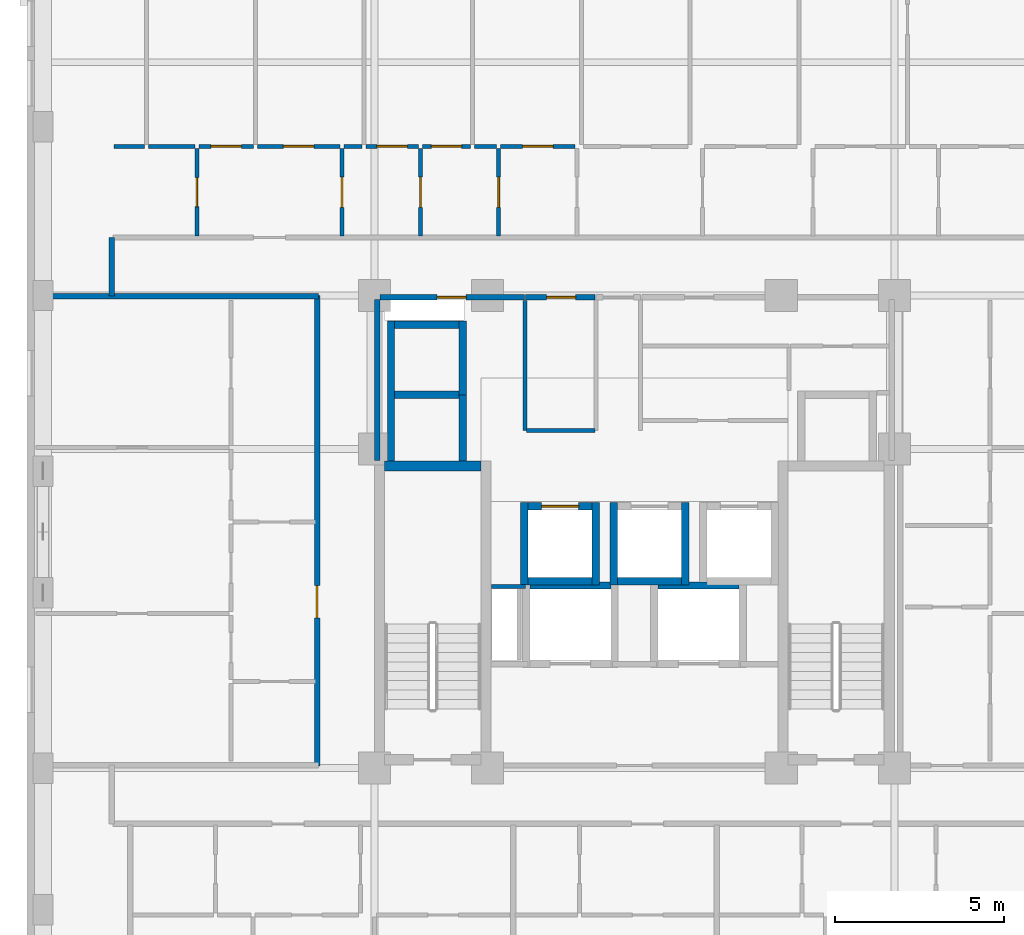
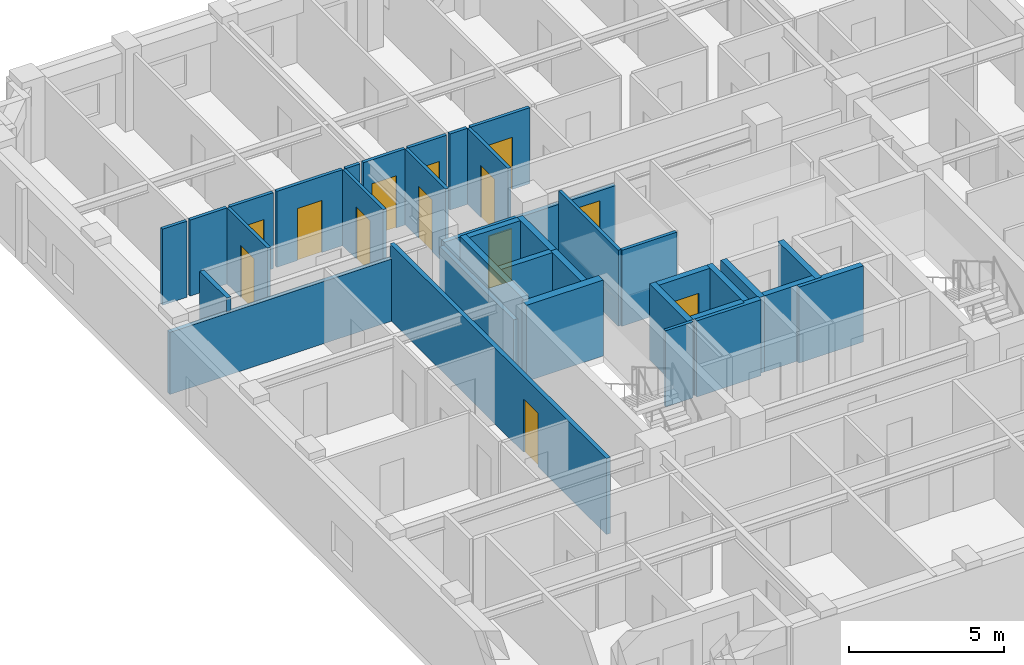
# One storey, part 5 of 11: 37 walls, 13 doors, 13 openings.
"""IFC4 building model written with IfcOpenShell, lengths in metres."""

from ifc_helpers import new_model, si_unit, derived_unit, direction, frame, frame_2d, origin, place, context, subcontext, project, spatial, rectangle, extrude, material, layer, layer_set, type_object, element, fill, save


model = new_model("IFC4")

# Units and contexts
model_context = context("Model", 3, precision=1e-05, world=origin(), true_north=direction((0.0, 1.0)))
body_context = subcontext(model_context, "Body", "Model", "MODEL_VIEW")
ifc_project = project(units=[si_unit("LENGTHUNIT", "METRE"), si_unit("AREAUNIT", "SQUARE_METRE"), si_unit("VOLUMEUNIT", "CUBIC_METRE"), si_unit("PLANEANGLEUNIT", "RADIAN"), si_unit("MASSUNIT", "GRAM", prefix="KILO"), derived_unit("THERMALTRANSMITTANCEUNIT", [(si_unit("MASSUNIT", "GRAM", prefix="KILO"), 1), (si_unit("TIMEUNIT", "SECOND"), -3), (si_unit("THERMODYNAMICTEMPERATUREUNIT", "KELVIN"), -1)])], contexts=[model_context])

# Site, building, storey
site_placement = place(None, origin())
site = spatial("IfcSite", under=ifc_project, at=site_placement, CompositionType="ELEMENT")
building_placement = place(site_placement, origin())
building = spatial("IfcBuilding", under=site, at=building_placement, Name="Korrvale Station Residences", CompositionType="ELEMENT")
storey_placement = place(building_placement, frame((0.0, 0.0, 156.89990234375)))
storey = spatial("IfcBuildingStorey", under=building, at=storey_placement, Name="L45", CompositionType="ELEMENT", Elevation=156.89990234375)

# Walls
ifc_material_1 = material(Name="Concrete C60/75", Category="concrete")
ifc_layer_1 = layer(ifc_material_1, 0.300048828125, Name="Concrete C60/75")
ifc_layer_set_1 = layer_set([ifc_layer_1], Name="Concrete C60/75")
wall_type_1 = type_object("IfcWallType", Name="WAL-CORE-300-C60", PredefinedType="SHEAR", material=ifc_layer_set_1)
wall_1_placement = place(storey_placement, frame((18.10009765625, 23.949951171875, 0.0), z_axis=(0.0, 0.0, 1.0), x_axis=(1.0, 0.0, 0.0)))
element("IfcWall", 1, at=wall_1_placement, inside=storey, type_object=wall_type_1, Name="L45 ST-1 Core Shear Wall North", PredefinedType="SHEAR", context=body_context, shape_type="SweptSolid", body=[
    extrude(rectangle(XDim=2.849853515625, YDim=0.300048828125, at=frame_2d((1.4248046875, 0.0))), origin(), (0.0, 0.0, 1.0), 2.989990234375),
])
ifc_material_2 = material(Name="Acoustic steel-stud gypsum board partition", Category="steel")
ifc_layer_2 = layer(ifc_material_2, 0.1201171875, Name="Acoustic steel-stud gypsum board partition")
ifc_layer_set_2 = layer_set([ifc_layer_2], Name="Acoustic steel-stud gypsum board partition")
wall_type_2 = type_object("IfcWallType", Name="WAL-PART-125", PredefinedType="PARTITIONING", material=ifc_layer_set_2)
wall_2_placement = place(storey_placement, frame((22.280029296875, 20.3798828125, 0.0), z_axis=(0.0, 0.0, 1.0), x_axis=(-1.0, 0.0, 0.0)))
element("IfcWall", 2, at=wall_2_placement, inside=storey, type_object=wall_type_2, Name="L45 Core Partition CW-RSWT-N", PredefinedType="PARTITIONING", context=body_context, shape_type="SweptSolid", body=[
    extrude(rectangle(XDim=1.02001953125, YDim=0.1201171875, at=frame_2d((0.510009765625, 0.0))), origin(), (0.0, 0.0, 1.0), 2.989990234375),
])
wall_3_placement = place(storey_placement, frame((22.260009765625, 25.0, 0.0), z_axis=(0.0, 0.0, 1.0), x_axis=(0.0, 1.0, 0.0)))
element("IfcWall", 3, at=wall_3_placement, inside=storey, type_object=wall_type_2, Name="L45 Core Partition CW-FPLW-W", PredefinedType="PARTITIONING", context=body_context, shape_type="SweptSolid", body=[
    extrude(rectangle(XDim=3.860107421875, YDim=0.1201171875, at=frame_2d((1.93017578125, 0.0))), origin(), (0.0, 0.0, 1.0), 2.989990234375),
])
wall_4_placement = place(storey_placement, frame((22.300048828125, 25.0, 0.0), z_axis=(0.0, 0.0, 1.0), x_axis=(1.0, 0.0, 0.0)))
element("IfcWall", 4, at=wall_4_placement, inside=storey, type_object=wall_type_2, Name="L45 Core Partition CW-FPLW-S", PredefinedType="PARTITIONING", context=body_context, shape_type="SweptSolid", body=[
    extrude(rectangle(XDim=2.0400390625, YDim=0.1201171875, at=frame_2d((1.02001953125, 0.0))), origin(), (0.0, 0.0, 1.0), 2.989990234375),
])

# Wall, opening, door
wall_5_placement = place(storey_placement, frame((12.5400390625, 30.760009765625, 0.0), z_axis=(0.0, 0.0, 1.0), x_axis=(0.0, 1.0, 0.0)))
wall_5 = element("IfcWall", 5, at=wall_5_placement, inside=storey, type_object=wall_type_2, Name="L45 Suite Partition U04-V01", PredefinedType="PARTITIONING", context=body_context, shape_type="SweptSolid", body=[
    extrude(rectangle(XDim=2.60009765625, YDim=0.1201171875, at=frame_2d((1.300048828125, 0.0))), origin(), (0.0, 0.0, 1.0), 2.989990234375),
])
opening_1_placement = place(wall_5_placement, frame((0.8701171875, 0.0, 0.0)))
opening_1 = element("IfcOpeningElement", 6, at=opening_1_placement, cuts=wall_5, Name="Opening DB-860", PredefinedType="OPENING", context=body_context, shape_type="SweptSolid", body=[
    extrude(rectangle(XDim=0.860107421875, YDim=2.050048828125, at=frame_2d((0.43017578125, 1.02490234375))), frame((0.0, 0.070068359375, 0.0), z_axis=(0.0, -1.0, 0.0), x_axis=(1.0, 0.0, 0.0)), (0.0, 0.0, 1.0), 0.14013671875),
])
ifc_material_3 = material(Name="Moisture-resistant solid-core bathroom door", Category="timber")
door_type_1 = type_object("IfcDoorType", Name="DR-BATH-860", OperationType="NOTDEFINED", PredefinedType="DOOR", material=ifc_material_3)
door_1_placement = place(opening_1_placement, origin())
door_1 = element("IfcDoor", 7, at=door_1_placement, inside=storey, type_object=door_type_1, Name="L45 Studio Apartment L45-U04 Bathroom Door", OperationType="SINGLE_SWING_RIGHT", OverallHeight=2.050048828125, OverallWidth=0.860107421875, PredefinedType="DOOR", context=body_context, shape_type="SweptSolid", body=[
    extrude(rectangle(XDim=0.860107421875, YDim=2.050048828125, at=frame_2d((0.43017578125, 1.02490234375))), frame((0.0, 0.02490234375, 0.0), z_axis=(0.0, -1.0, 0.0), x_axis=(1.0, 0.0, 0.0)), (0.0, 0.0, 1.0), 0.050048828125),
])
fill(opening_1, door_1)

# Walls
wall_6_placement = place(storey_placement, frame((10.080078125, 33.419921875, 0.0), z_axis=(0.0, 0.0, 1.0), x_axis=(1.0, 0.0, 0.0)))
element("IfcWall", 8, at=wall_6_placement, inside=storey, type_object=wall_type_2, Name="L45 Suite Partition U04-H09", PredefinedType="PARTITIONING", context=body_context, shape_type="SweptSolid", body=[
    extrude(rectangle(XDim=0.909912109375, YDim=0.1201171875, at=frame_2d((0.455078125, 0.0))), origin(), (0.0, 0.0, 1.0), 2.989990234375),
])
wall_7_placement = place(storey_placement, frame((11.110107421875, 33.419921875, 0.0), z_axis=(0.0, 0.0, 1.0), x_axis=(1.0, 0.0, 0.0)))
element("IfcWall", 9, at=wall_7_placement, inside=storey, type_object=wall_type_2, Name="L45 Suite Partition U04-H010", PredefinedType="PARTITIONING", context=body_context, shape_type="SweptSolid", body=[
    extrude(rectangle(XDim=1.369873046875, YDim=0.1201171875, at=frame_2d((0.68505859375, 0.0))), origin(), (0.0, 0.0, 1.0), 2.989990234375),
])

# Wall, opening, door
wall_8_placement = place(storey_placement, frame((16.840087890625, 30.760009765625, 0.0), z_axis=(0.0, 0.0, 1.0), x_axis=(0.0, 1.0, 0.0)))
wall_8 = element("IfcWall", 10, at=wall_8_placement, inside=storey, type_object=wall_type_2, Name="L45 Suite Partition U04-V12", PredefinedType="PARTITIONING", context=body_context, shape_type="SweptSolid", body=[
    extrude(rectangle(XDim=2.60009765625, YDim=0.1201171875, at=frame_2d((1.300048828125, 0.0))), origin(), (0.0, 0.0, 1.0), 2.989990234375),
])
opening_2_placement = place(wall_8_placement, frame((0.85009765625, 0.0, 0.0)))
opening_2 = element("IfcOpeningElement", 11, at=opening_2_placement, cuts=wall_8, Name="Opening DI-900", PredefinedType="OPENING", context=body_context, shape_type="SweptSolid", body=[
    extrude(rectangle(XDim=0.89990234375, YDim=2.050048828125, at=frame_2d((0.449951171875, 1.02490234375))), frame((0.0, 0.070068359375, 0.0), z_axis=(0.0, -1.0, 0.0), x_axis=(1.0, 0.0, 0.0)), (0.0, 0.0, 1.0), 0.14013671875),
])
ifc_material_4 = material(Name="Painted solid-core timber interior room door", Category="wood")
door_type_2 = type_object("IfcDoorType", Name="DR-INT-900", OperationType="NOTDEFINED", PredefinedType="DOOR", material=ifc_material_4)
door_2_placement = place(opening_2_placement, origin())
door_2 = element("IfcDoor", 12, at=door_2_placement, inside=storey, type_object=door_type_2, Name="L45 Studio Apartment L45-U04 Kitchen Door", OperationType="SINGLE_SWING_LEFT", OverallHeight=2.050048828125, OverallWidth=0.89990234375, PredefinedType="DOOR", context=body_context, shape_type="SweptSolid", body=[
    extrude(rectangle(XDim=0.89990234375, YDim=2.050048828125, at=frame_2d((0.449951171875, 1.02490234375))), frame((0.0, 0.02490234375, 0.0), z_axis=(0.0, -1.0, 0.0), x_axis=(1.0, 0.0, 0.0)), (0.0, 0.0, 1.0), 0.050048828125),
])
fill(opening_2, door_2)

wall_9_placement = place(storey_placement, frame((12.60009765625, 33.419921875, 0.0), z_axis=(0.0, 0.0, 1.0), x_axis=(1.0, 0.0, 0.0)))
wall_9 = element("IfcWall", 13, at=wall_9_placement, inside=storey, type_object=wall_type_2, Name="L45 Suite Partition U04-H110", PredefinedType="PARTITIONING", context=body_context, shape_type="SweptSolid", body=[
    extrude(rectangle(XDim=1.60986328125, YDim=0.1201171875, at=frame_2d((0.804931640625, 0.0))), origin(), (0.0, 0.0, 1.0), 2.989990234375),
])
opening_3_placement = place(wall_9_placement, frame((0.35498046875, 0.0, 0.0)))
opening_3 = element("IfcOpeningElement", 14, at=opening_3_placement, cuts=wall_9, Name="Opening DI-900", PredefinedType="OPENING", context=body_context, shape_type="SweptSolid", body=[
    extrude(rectangle(XDim=0.89990234375, YDim=2.050048828125, at=frame_2d((0.449951171875, 1.02490234375))), frame((0.0, 0.070068359375, 0.0), z_axis=(0.0, -1.0, 0.0), x_axis=(1.0, 0.0, 0.0)), (0.0, 0.0, 1.0), 0.14013671875),
])
door_3_placement = place(opening_3_placement, origin())
door_3 = element("IfcDoor", 15, at=door_3_placement, inside=storey, type_object=door_type_2, Name="L45 Studio Apartment L45-U04 Kitchen Door", OperationType="SINGLE_SWING_RIGHT", OverallHeight=2.050048828125, OverallWidth=0.89990234375, PredefinedType="DOOR", context=body_context, shape_type="SweptSolid", body=[
    extrude(rectangle(XDim=0.89990234375, YDim=2.050048828125, at=frame_2d((0.449951171875, 1.02490234375))), frame((0.0, 0.02490234375, 0.0), z_axis=(0.0, -1.0, 0.0), x_axis=(1.0, 0.0, 0.0)), (0.0, 0.0, 1.0), 0.050048828125),
])
fill(opening_3, door_3)

wall_10_placement = place(storey_placement, frame((14.330078125, 33.419921875, 0.0), z_axis=(0.0, 0.0, 1.0), x_axis=(1.0, 0.0, 0.0)))
wall_10 = element("IfcWall", 16, at=wall_10_placement, inside=storey, type_object=wall_type_2, Name="L45 Suite Partition U04-H111", PredefinedType="PARTITIONING", context=body_context, shape_type="SweptSolid", body=[
    extrude(rectangle(XDim=2.449951171875, YDim=0.1201171875, at=frame_2d((1.22509765625, 0.0))), origin(), (0.0, 0.0, 1.0), 2.989990234375),
])
opening_4_placement = place(wall_10_placement, frame((0.77490234375, 0.0, 0.0)))
opening_4 = element("IfcOpeningElement", 17, at=opening_4_placement, cuts=wall_10, Name="Opening DI-900", PredefinedType="OPENING", context=body_context, shape_type="SweptSolid", body=[
    extrude(rectangle(XDim=0.89990234375, YDim=2.050048828125, at=frame_2d((0.449951171875, 1.02490234375))), frame((0.0, 0.070068359375, 0.0), z_axis=(0.0, -1.0, 0.0), x_axis=(1.0, 0.0, 0.0)), (0.0, 0.0, 1.0), 0.14013671875),
])
door_4_placement = place(opening_4_placement, origin())
door_4 = element("IfcDoor", 18, at=door_4_placement, inside=storey, type_object=door_type_2, Name="L45 Studio Apartment L45-U04 Kitchen Door", OperationType="SINGLE_SWING_LEFT", OverallHeight=2.050048828125, OverallWidth=0.89990234375, PredefinedType="DOOR", context=body_context, shape_type="SweptSolid", body=[
    extrude(rectangle(XDim=0.89990234375, YDim=2.050048828125, at=frame_2d((0.449951171875, 1.02490234375))), frame((0.0, 0.02490234375, 0.0), z_axis=(0.0, -1.0, 0.0), x_axis=(1.0, 0.0, 0.0)), (0.0, 0.0, 1.0), 0.050048828125),
])
fill(opening_4, door_4)

wall_11_placement = place(storey_placement, frame((19.159912109375, 30.760009765625, 0.0), z_axis=(0.0, 0.0, 1.0), x_axis=(0.0, 1.0, 0.0)))
wall_11 = element("IfcWall", 19, at=wall_11_placement, inside=storey, type_object=wall_type_2, Name="L45 Suite Partition U04-V23", PredefinedType="PARTITIONING", context=body_context, shape_type="SweptSolid", body=[
    extrude(rectangle(XDim=2.60009765625, YDim=0.1201171875, at=frame_2d((1.300048828125, 0.0))), origin(), (0.0, 0.0, 1.0), 2.989990234375),
])
opening_5_placement = place(wall_11_placement, frame((0.85009765625, 0.0, 0.0)))
opening_5 = element("IfcOpeningElement", 20, at=opening_5_placement, cuts=wall_11, Name="Opening DI-900", PredefinedType="OPENING", context=body_context, shape_type="SweptSolid", body=[
    extrude(rectangle(XDim=0.89990234375, YDim=2.050048828125, at=frame_2d((0.449951171875, 1.02490234375))), frame((0.0, 0.070068359375, 0.0), z_axis=(0.0, -1.0, 0.0), x_axis=(1.0, 0.0, 0.0)), (0.0, 0.0, 1.0), 0.14013671875),
])
door_5_placement = place(opening_5_placement, origin())
door_5 = element("IfcDoor", 21, at=door_5_placement, inside=storey, type_object=door_type_2, Name="L45 Studio Apartment L45-U04 Wardrobe Storage Room Door", OperationType="SINGLE_SWING_RIGHT", OverallHeight=2.050048828125, OverallWidth=0.89990234375, PredefinedType="DOOR", context=body_context, shape_type="SweptSolid", body=[
    extrude(rectangle(XDim=0.89990234375, YDim=2.050048828125, at=frame_2d((0.449951171875, 1.02490234375))), frame((0.0, 0.02490234375, 0.0), z_axis=(0.0, -1.0, 0.0), x_axis=(1.0, 0.0, 0.0)), (0.0, 0.0, 1.0), 0.050048828125),
])
fill(opening_5, door_5)

# Wall
wall_12_placement = place(storey_placement, frame((16.89990234375, 33.419921875, 0.0), z_axis=(0.0, 0.0, 1.0), x_axis=(1.0, 0.0, 0.0)))
element("IfcWall", 22, at=wall_12_placement, inside=storey, type_object=wall_type_2, Name="L45 Suite Partition U04-H211", PredefinedType="PARTITIONING", context=body_context, shape_type="SweptSolid", body=[
    extrude(rectangle(XDim=0.530029296875, YDim=0.1201171875, at=frame_2d((0.26513671875, 0.0))), origin(), (0.0, 0.0, 1.0), 2.989990234375),
])

# Wall, opening, door
wall_13_placement = place(storey_placement, frame((17.550048828125, 33.419921875, 0.0), z_axis=(0.0, 0.0, 1.0), x_axis=(1.0, 0.0, 0.0)))
wall_13 = element("IfcWall", 23, at=wall_13_placement, inside=storey, type_object=wall_type_2, Name="L45 Suite Partition U04-H212", PredefinedType="PARTITIONING", context=body_context, shape_type="SweptSolid", body=[
    extrude(rectangle(XDim=1.550048828125, YDim=0.1201171875, at=frame_2d((0.77490234375, 0.0))), origin(), (0.0, 0.0, 1.0), 2.989990234375),
])
opening_6_placement = place(wall_13_placement, frame((0.324951171875, 0.0, 0.0)))
opening_6 = element("IfcOpeningElement", 24, at=opening_6_placement, cuts=wall_13, Name="Opening DI-900", PredefinedType="OPENING", context=body_context, shape_type="SweptSolid", body=[
    extrude(rectangle(XDim=0.89990234375, YDim=2.050048828125, at=frame_2d((0.449951171875, 1.02490234375))), frame((0.0, 0.070068359375, 0.0), z_axis=(0.0, -1.0, 0.0), x_axis=(1.0, 0.0, 0.0)), (0.0, 0.0, 1.0), 0.14013671875),
])
door_6_placement = place(opening_6_placement, origin())
door_6 = element("IfcDoor", 25, at=door_6_placement, inside=storey, type_object=door_type_2, Name="L45 Studio Apartment L45-U04 Wardrobe Storage Room Door", OperationType="SINGLE_SWING_LEFT", OverallHeight=2.050048828125, OverallWidth=0.89990234375, PredefinedType="DOOR", context=body_context, shape_type="SweptSolid", body=[
    extrude(rectangle(XDim=0.89990234375, YDim=2.050048828125, at=frame_2d((0.449951171875, 1.02490234375))), frame((0.0, 0.02490234375, 0.0), z_axis=(0.0, -1.0, 0.0), x_axis=(1.0, 0.0, 0.0)), (0.0, 0.0, 1.0), 0.050048828125),
])
fill(opening_6, door_6)

wall_14_placement = place(storey_placement, frame((21.47998046875, 30.760009765625, 0.0), z_axis=(0.0, 0.0, 1.0), x_axis=(0.0, 1.0, 0.0)))
wall_14 = element("IfcWall", 26, at=wall_14_placement, inside=storey, type_object=wall_type_2, Name="L45 Suite Partition U04-V34", PredefinedType="PARTITIONING", context=body_context, shape_type="SweptSolid", body=[
    extrude(rectangle(XDim=2.60009765625, YDim=0.1201171875, at=frame_2d((1.300048828125, 0.0))), origin(), (0.0, 0.0, 1.0), 2.989990234375),
])
opening_7_placement = place(wall_14_placement, frame((0.85009765625, 0.0, 0.0)))
opening_7 = element("IfcOpeningElement", 27, at=opening_7_placement, cuts=wall_14, Name="Opening DI-900", PredefinedType="OPENING", context=body_context, shape_type="SweptSolid", body=[
    extrude(rectangle(XDim=0.89990234375, YDim=2.050048828125, at=frame_2d((0.449951171875, 1.02490234375))), frame((0.0, 0.070068359375, 0.0), z_axis=(0.0, -1.0, 0.0), x_axis=(1.0, 0.0, 0.0)), (0.0, 0.0, 1.0), 0.14013671875),
])
door_7_placement = place(opening_7_placement, origin())
door_7 = element("IfcDoor", 28, at=door_7_placement, inside=storey, type_object=door_type_2, Name="L45 Studio Apartment L45-U04 Wardrobe Storage Room Door", OperationType="SINGLE_SWING_RIGHT", OverallHeight=2.050048828125, OverallWidth=0.89990234375, PredefinedType="DOOR", context=body_context, shape_type="SweptSolid", body=[
    extrude(rectangle(XDim=0.89990234375, YDim=2.050048828125, at=frame_2d((0.449951171875, 1.02490234375))), frame((0.0, 0.02490234375, 0.0), z_axis=(0.0, -1.0, 0.0), x_axis=(1.0, 0.0, 0.0)), (0.0, 0.0, 1.0), 0.050048828125),
])
fill(opening_7, door_7)

wall_15_placement = place(storey_placement, frame((19.219970703125, 33.419921875, 0.0), z_axis=(0.0, 0.0, 1.0), x_axis=(1.0, 0.0, 0.0)))
wall_15 = element("IfcWall", 29, at=wall_15_placement, inside=storey, type_object=wall_type_2, Name="L45 Suite Partition U04-H312", PredefinedType="PARTITIONING", context=body_context, shape_type="SweptSolid", body=[
    extrude(rectangle(XDim=1.429931640625, YDim=0.1201171875, at=frame_2d((0.71484375, 0.0))), origin(), (0.0, 0.0, 1.0), 2.989990234375),
])
opening_8_placement = place(wall_15_placement, frame((0.264892578125, 0.0, 0.0)))
opening_8 = element("IfcOpeningElement", 30, at=opening_8_placement, cuts=wall_15, Name="Opening DI-900", PredefinedType="OPENING", context=body_context, shape_type="SweptSolid", body=[
    extrude(rectangle(XDim=0.89990234375, YDim=2.050048828125, at=frame_2d((0.449951171875, 1.02490234375))), frame((0.0, 0.070068359375, 0.0), z_axis=(0.0, -1.0, 0.0), x_axis=(1.0, 0.0, 0.0)), (0.0, 0.0, 1.0), 0.14013671875),
])
door_8_placement = place(opening_8_placement, origin())
door_8 = element("IfcDoor", 31, at=door_8_placement, inside=storey, type_object=door_type_2, Name="L45 Studio Apartment L45-U04 Wardrobe Storage Room Door", OperationType="SINGLE_SWING_LEFT", OverallHeight=2.050048828125, OverallWidth=0.89990234375, PredefinedType="DOOR", context=body_context, shape_type="SweptSolid", body=[
    extrude(rectangle(XDim=0.89990234375, YDim=2.050048828125, at=frame_2d((0.449951171875, 1.02490234375))), frame((0.0, 0.02490234375, 0.0), z_axis=(0.0, -1.0, 0.0), x_axis=(1.0, 0.0, 0.0)), (0.0, 0.0, 1.0), 0.050048828125),
])
fill(opening_8, door_8)

# Wall
wall_16_placement = place(storey_placement, frame((20.77001953125, 33.419921875, 0.0), z_axis=(0.0, 0.0, 1.0), x_axis=(1.0, 0.0, 0.0)))
element("IfcWall", 32, at=wall_16_placement, inside=storey, type_object=wall_type_2, Name="L45 Suite Partition U04-H313", PredefinedType="PARTITIONING", context=body_context, shape_type="SweptSolid", body=[
    extrude(rectangle(XDim=0.64990234375, YDim=0.1201171875, at=frame_2d((0.324951171875, 0.0))), origin(), (0.0, 0.0, 1.0), 2.989990234375),
])

# Wall, opening, door
wall_17_placement = place(storey_placement, frame((21.5400390625, 33.419921875, 0.0), z_axis=(0.0, 0.0, 1.0), x_axis=(1.0, 0.0, 0.0)))
wall_17 = element("IfcWall", 33, at=wall_17_placement, inside=storey, type_object=wall_type_2, Name="L45 Suite Partition U04-H413", PredefinedType="PARTITIONING", context=body_context, shape_type="SweptSolid", body=[
    extrude(rectangle(XDim=2.199951171875, YDim=0.1201171875, at=frame_2d((1.10009765625, 0.0))), origin(), (0.0, 0.0, 1.0), 2.989990234375),
])
opening_9_placement = place(wall_17_placement, frame((0.64990234375, 0.0, 0.0)))
opening_9 = element("IfcOpeningElement", 34, at=opening_9_placement, cuts=wall_17, Name="Opening DI-900", PredefinedType="OPENING", context=body_context, shape_type="SweptSolid", body=[
    extrude(rectangle(XDim=0.89990234375, YDim=2.050048828125, at=frame_2d((0.449951171875, 1.02490234375))), frame((0.0, 0.070068359375, 0.0), z_axis=(0.0, -1.0, 0.0), x_axis=(1.0, 0.0, 0.0)), (0.0, 0.0, 1.0), 0.14013671875),
])
door_9_placement = place(opening_9_placement, origin())
door_9 = element("IfcDoor", 35, at=door_9_placement, inside=storey, type_object=door_type_2, Name="L45 Studio Apartment L45-U04 Wardrobe Storage Room Door", OperationType="SINGLE_SWING_LEFT", OverallHeight=2.050048828125, OverallWidth=0.89990234375, PredefinedType="DOOR", context=body_context, shape_type="SweptSolid", body=[
    extrude(rectangle(XDim=0.89990234375, YDim=2.050048828125, at=frame_2d((0.449951171875, 1.02490234375))), frame((0.0, 0.02490234375, 0.0), z_axis=(0.0, -1.0, 0.0), x_axis=(1.0, 0.0, 0.0)), (0.0, 0.0, 1.0), 0.050048828125),
])
fill(opening_9, door_9)

# Wall
ifc_material_5 = material(Name="Fire-rated twin-stud gypsum and mineral wool shaftwall assembly", Category="gypsum")
ifc_layer_3 = layer(ifc_material_5, 0.159912109375, Name="Fire-rated twin-stud gypsum and mineral wool shaftwall assembly")
ifc_layer_set_3 = layer_set([ifc_layer_3], Name="Fire-rated twin-stud gypsum and mineral wool shaftwall assembly")
wall_type_3 = type_object("IfcWallType", Name="WAL-PART-200", PredefinedType="PARTITIONING", material=ifc_layer_set_3)
wall_18_placement = place(storey_placement, frame((17.8798828125, 24.1201171875, 0.0), z_axis=(0.0, 0.0, 1.0), x_axis=(0.0, 1.0, 0.0)))
element("IfcWall", 36, at=wall_18_placement, inside=storey, type_object=wall_type_3, Name="L45 Core Partition CW-W-N", PredefinedType="PARTITIONING", context=body_context, shape_type="SweptSolid", body=[
    extrude(rectangle(XDim=4.759765625, YDim=0.159912109375, at=frame_2d((2.3798828125, 0.0))), origin(), (0.0, 0.0, 1.0), 2.3251953125),
])

# Wall, opening, door
wall_19_placement = place(storey_placement, frame((17.9599609375, 28.949951171875, 0.0), z_axis=(0.0, 0.0, 1.0), x_axis=(1.0, 0.0, 0.0)))
wall_19 = element("IfcWall", 37, at=wall_19_placement, inside=storey, type_object=wall_type_3, Name="L45 Core Partition CW-NW", PredefinedType="PARTITIONING", context=body_context, shape_type="SweptSolid", body=[
    extrude(rectangle(XDim=4.2900390625, YDim=0.159912109375, at=frame_2d((2.14501953125, 0.0))), origin(), (0.0, 0.0, 1.0), 2.442138671875),
])
opening_10_placement = place(wall_19_placement, frame((1.695068359375, 0.0, 0.0)))
opening_10 = element("IfcOpeningElement", 38, at=opening_10_placement, cuts=wall_19, Name="Opening DB-860", PredefinedType="OPENING", context=body_context, shape_type="SweptSolid", body=[
    extrude(rectangle(XDim=0.860107421875, YDim=2.050048828125, at=frame_2d((0.43017578125, 1.02490234375))), frame((0.0, 0.08984375, 0.0), z_axis=(0.0, -1.0, 0.0), x_axis=(1.0, 0.0, 0.0)), (0.0, 0.0, 1.0), 0.179931640625),
])
door_10_placement = place(opening_10_placement, origin())
door_10 = element("IfcDoor", 39, at=door_10_placement, inside=storey, type_object=door_type_1, Name="L45 Electrical Riser Access Door", OperationType="SINGLE_SWING_RIGHT", OverallHeight=2.050048828125, OverallWidth=0.860107421875, PredefinedType="DOOR", context=body_context, shape_type="SweptSolid", body=[
    extrude(rectangle(XDim=0.860107421875, YDim=2.050048828125, at=frame_2d((0.43017578125, 1.02490234375))), frame((0.0, 0.02490234375, 0.0), z_axis=(0.0, -1.0, 0.0), x_axis=(1.0, 0.0, 0.0)), (0.0, 0.0, 1.0), 0.050048828125),
])
fill(opening_10, door_10)

wall_20_placement = place(storey_placement, frame((22.280029296875, 28.949951171875, 0.0), z_axis=(0.0, 0.0, 1.0), x_axis=(1.0, 0.0, 0.0)))
wall_20 = element("IfcWall", 40, at=wall_20_placement, inside=storey, type_object=wall_type_3, Name="L45 Core Partition CW-FPLW-N", PredefinedType="PARTITIONING", context=body_context, shape_type="SweptSolid", body=[
    extrude(rectangle(XDim=2.06005859375, YDim=0.159912109375, at=frame_2d((1.030029296875, 0.0))), origin(), (0.0, 0.0, 1.0), 2.442138671875),
])
opening_11_placement = place(wall_20_placement, frame((0.6201171875, 0.0, 0.0)))
opening_11 = element("IfcOpeningElement", 41, at=opening_11_placement, cuts=wall_20, Name="Opening DB-860", PredefinedType="OPENING", context=body_context, shape_type="SweptSolid", body=[
    extrude(rectangle(XDim=0.860107421875, YDim=2.050048828125, at=frame_2d((0.43017578125, 1.02490234375))), frame((0.0, 0.08984375, 0.0), z_axis=(0.0, -1.0, 0.0), x_axis=(1.0, 0.0, 0.0)), (0.0, 0.0, 1.0), 0.179931640625),
])
door_11_placement = place(opening_11_placement, origin())
door_11 = element("IfcDoor", 42, at=door_11_placement, inside=storey, type_object=door_type_1, Name="L45 Resident Parcel Room Door", OperationType="SINGLE_SWING_RIGHT", OverallHeight=2.050048828125, OverallWidth=0.860107421875, PredefinedType="DOOR", context=body_context, shape_type="SweptSolid", body=[
    extrude(rectangle(XDim=0.860107421875, YDim=2.050048828125, at=frame_2d((0.43017578125, 1.02490234375))), frame((0.0, 0.02490234375, 0.0), z_axis=(0.0, -1.0, 0.0), x_axis=(1.0, 0.0, 0.0)), (0.0, 0.0, 1.0), 0.050048828125),
])
fill(opening_11, door_11)

# Walls
wall_21_placement = place(storey_placement, frame((10.02001953125, 28.97998046875, 0.0), z_axis=(0.0, 0.0, 1.0), x_axis=(0.0, 1.0, 0.0)))
element("IfcWall", 43, at=wall_21_placement, inside=storey, type_object=wall_type_3, Name="L45 Corridor North West Cap", PredefinedType="PARTITIONING", context=body_context, shape_type="SweptSolid", body=[
    extrude(rectangle(XDim=1.739990234375, YDim=0.159912109375, at=frame_2d((0.8701171875, 0.0))), origin(), (0.0, 0.0, 1.0), 2.989990234375),
])
wall_22_placement = place(storey_placement, frame((7.780029296875, 28.97998046875, 0.0), z_axis=(0.0, 0.0, 1.0), x_axis=(1.0, 0.0, 0.0)))
element("IfcWall", 44, at=wall_22_placement, inside=storey, type_object=wall_type_3, Name="L45 West Wing North Corridor Wall", PredefinedType="PARTITIONING", context=body_context, shape_type="SweptSolid", body=[
    extrude(rectangle(XDim=8.35986328125, YDim=0.159912109375, at=frame_2d((4.179931640625, 0.0))), origin(), (0.0, 0.0, 1.0), 2.442138671875),
])

# Wall, opening, door
wall_23_placement = place(storey_placement, frame((16.10009765625, 15.070068359375, 0.0), z_axis=(0.0, 0.0, 1.0), x_axis=(0.0, 1.0, 0.0)))
wall_23 = element("IfcWall", 45, at=wall_23_placement, inside=storey, type_object=wall_type_3, Name="L45 Rated Corridor Wall W", PredefinedType="PARTITIONING", context=body_context, shape_type="SweptSolid", body=[
    extrude(rectangle(XDim=13.929931640625, YDim=0.159912109375, at=frame_2d((6.96484375, 0.0))), origin(), (0.0, 0.0, 1.0), 2.989990234375),
])
opening_12_placement = place(wall_23_placement, frame((4.385009765625, 0.0, 0.0)))
opening_12 = element("IfcOpeningElement", 46, at=opening_12_placement, cuts=wall_23, Name="Opening UD-950", PredefinedType="OPENING", context=body_context, shape_type="SweptSolid", body=[
    extrude(rectangle(XDim=0.949951171875, YDim=2.10009765625, at=frame_2d((0.47509765625, 1.050048828125))), frame((0.0, 0.08984375, 0.0), z_axis=(0.0, -1.0, 0.0), x_axis=(1.0, 0.0, 0.0)), (0.0, 0.0, 1.0), 0.179931640625),
])
ifc_material_6 = material(Name="Solid-core acoustic oak apartment entrance door", Category="timber")
door_type_3 = type_object("IfcDoorType", Name="DR-UNIT-950", OperationType="NOTDEFINED", PredefinedType="DOOR", material=ifc_material_6)
door_12_placement = place(opening_12_placement, origin())
door_12 = element("IfcDoor", 47, at=door_12_placement, inside=storey, type_object=door_type_3, Name="L45 Apartment L45-U05 Entrance Door", OperationType="SINGLE_SWING_RIGHT", OverallHeight=2.10009765625, OverallWidth=0.949951171875, PredefinedType="DOOR", context=body_context, shape_type="SweptSolid", body=[
    extrude(rectangle(XDim=0.949951171875, YDim=2.10009765625, at=frame_2d((0.47509765625, 1.050048828125))), frame((0.0, 0.02490234375, 0.0), z_axis=(0.0, -1.0, 0.0), x_axis=(1.0, 0.0, 0.0)), (0.0, 0.0, 1.0), 0.050048828125),
])
fill(opening_12, door_12)

# Wall
ifc_layer_4 = layer(ifc_material_1, 0.219970703125, Name="Concrete C60/75")
ifc_layer_set_4 = layer_set([ifc_layer_4], Name="Concrete C60/75")
wall_type_4 = type_object("IfcWallType", Name="WAL-SHAFT-220-C60", PredefinedType="SHEAR", material=ifc_layer_set_4)
wall_24_placement = place(storey_placement, frame((22.35009765625, 20.5400390625, 0.0), z_axis=(0.0, 0.0, 1.0), x_axis=(1.0, 0.0, 0.0)))
element("IfcWall", 48, at=wall_24_placement, inside=storey, type_object=wall_type_4, Name="L45 Elevator PM-1 Hoistway Wall South", PredefinedType="SHEAR", context=body_context, shape_type="SweptSolid", body=[
    extrude(rectangle(XDim=1.89990234375, YDim=0.219970703125, at=frame_2d((0.949951171875, 0.0))), origin(), (0.0, 0.0, 1.0), 2.989990234375),
])

# Wall, opening, door
wall_25_placement = place(storey_placement, frame((22.35009765625, 22.760009765625, 0.0), z_axis=(0.0, 0.0, 1.0), x_axis=(1.0, 0.0, 0.0)))
wall_25 = element("IfcWall", 49, at=wall_25_placement, inside=storey, type_object=wall_type_4, Name="L45 Elevator PM-1 Hoistway Wall North", PredefinedType="SHEAR", context=body_context, shape_type="SweptSolid", body=[
    extrude(rectangle(XDim=1.89990234375, YDim=0.219970703125, at=frame_2d((0.949951171875, 0.0))), origin(), (0.0, 0.0, 1.0), 2.989990234375),
])
opening_13_placement = place(wall_25_placement, frame((0.39990234375, 0.0, 0.0)))
opening_13 = element("IfcOpeningElement", 50, at=opening_13_placement, cuts=wall_25, Name="Opening LD-1100", PredefinedType="OPENING", context=body_context, shape_type="SweptSolid", body=[
    extrude(rectangle(XDim=1.10009765625, YDim=2.14990234375, at=frame_2d((0.550048828125, 1.074951171875))), frame((0.0, 0.1201171875, 0.0), z_axis=(0.0, -1.0, 0.0), x_axis=(1.0, 0.0, 0.0)), (0.0, 0.0, 1.0), 0.239990234375),
])
ifc_material_7 = material(Name="Brushed stainless-steel elevator landing sliding door", Category="steel")
door_type_4 = type_object("IfcDoorType", Name="DR-LIFT-1100", OperationType="SLIDING_TO_LEFT", PredefinedType="DOOR", material=ifc_material_7)
door_13_placement = place(opening_13_placement, origin())
door_13 = element("IfcDoor", 51, at=door_13_placement, inside=storey, type_object=door_type_4, Name="L45 Elevator PM-1 Sliding Landing Door", OperationType="SLIDING_TO_LEFT", OverallHeight=2.14990234375, OverallWidth=1.10009765625, PredefinedType="DOOR", context=body_context, shape_type="SweptSolid", body=[
    extrude(rectangle(XDim=1.10009765625, YDim=2.14990234375, at=frame_2d((0.550048828125, 1.074951171875))), frame((0.0, 0.02490234375, 0.0), z_axis=(0.0, -1.0, 0.0), x_axis=(1.0, 0.0, 0.0)), (0.0, 0.0, 1.0), 0.050048828125),
])
fill(opening_13, door_13)

# Walls
for number, where, z_axis, x_axis, name in (
    (52, (22.239990234375, 20.429931640625, 0.0), (0.0, 0.0, 1.0), (0.0, 1.0, 0.0), "L45 Elevator PM-1 Hoistway Wall West"),
    (53, (24.360107421875, 20.429931640625, 0.0), (0.0, 0.0, 1.0), (0.0, 1.0, 0.0), "L45 Elevator PM-1 Hoistway Wall East"),
):
    element("IfcWall", number, at=place(storey_placement, frame(where, z_axis=z_axis, x_axis=x_axis)), inside=storey, type_object=wall_type_4, Name=name, PredefinedType="SHEAR", context=body_context, shape_type="SweptSolid", body=[
        extrude(rectangle(XDim=2.440185546875, YDim=0.219970703125, at=frame_2d((1.22021484375, 0.0))), origin(), (0.0, 0.0, 1.0), 2.989990234375),
    ])
wall_26_placement = place(storey_placement, frame((25.0, 20.5400390625, 0.0), z_axis=(0.0, 0.0, 1.0), x_axis=(1.0, 0.0, 0.0)))
element("IfcWall", 54, at=wall_26_placement, inside=storey, type_object=wall_type_4, Name="L45 Elevator PM-2 Hoistway Wall South", PredefinedType="SHEAR", context=body_context, shape_type="SweptSolid", body=[
    extrude(rectangle(XDim=1.89990234375, YDim=0.219970703125, at=frame_2d((0.949951171875, 0.0))), origin(), (0.0, 0.0, 1.0), 2.989990234375),
])
for number, where, z_axis, x_axis, name in (
    (55, (24.889892578125, 20.429931640625, 0.0), (0.0, 0.0, 1.0), (0.0, 1.0, 0.0), "L45 Elevator PM-2 Hoistway Wall West"),
    (56, (27.010009765625, 20.429931640625, 0.0), (0.0, 0.0, 1.0), (0.0, 1.0, 0.0), "L45 Elevator PM-2 Hoistway Wall East"),
):
    element("IfcWall", number, at=place(storey_placement, frame(where, z_axis=z_axis, x_axis=x_axis)), inside=storey, type_object=wall_type_4, Name=name, PredefinedType="SHEAR", context=body_context, shape_type="SweptSolid", body=[
        extrude(rectangle(XDim=2.440185546875, YDim=0.219970703125, at=frame_2d((1.22021484375, 0.0))), origin(), (0.0, 0.0, 1.0), 2.989990234375),
    ])
wall_27_placement = place(storey_placement, frame((18.2900390625, 24.10009765625, 0.0), z_axis=(0.0, 0.0, 1.0), x_axis=(0.0, 1.0, 0.0)))
element("IfcWall", 57, at=wall_27_placement, inside=storey, type_object=wall_type_4, Name="L45 Elevator PH-1 Hoistway Wall West", PredefinedType="SHEAR", context=body_context, shape_type="SweptSolid", body=[
    extrude(rectangle(XDim=4.139892578125, YDim=0.219970703125, at=frame_2d((2.06982421875, 0.0))), origin(), (0.0, 0.0, 1.0), 2.989990234375),
])
wall_28_placement = place(storey_placement, frame((20.409912109375, 24.10009765625, 0.0), z_axis=(0.0, 0.0, 1.0), x_axis=(0.0, 1.0, 0.0)))
element("IfcWall", 58, at=wall_28_placement, inside=storey, type_object=wall_type_4, Name="L45 Elevator PH-1 Hoistway Wall East", PredefinedType="SHEAR", context=body_context, shape_type="SweptSolid", body=[
    extrude(rectangle(XDim=1.9599609375, YDim=0.219970703125, at=frame_2d((0.97998046875, 0.0))), origin(), (0.0, 0.0, 1.0), 2.989990234375),
])
for number, where, z_axis, x_axis, name in (
    (59, (18.39990234375, 26.06005859375, 0.0), (0.0, 0.0, 1.0), (1.0, 0.0, 0.0), "L45 Elevator PH-2 Hoistway Wall South"),
    (60, (18.39990234375, 28.1298828125, 0.0), (0.0, 0.0, 1.0), (1.0, 0.0, 0.0), "L45 Elevator PH-2 Hoistway Wall North"),
):
    element("IfcWall", number, at=place(storey_placement, frame(where, z_axis=z_axis, x_axis=x_axis)), inside=storey, type_object=wall_type_4, Name=name, PredefinedType="SHEAR", context=body_context, shape_type="SweptSolid", body=[
        extrude(rectangle(XDim=1.900146484375, YDim=0.219970703125, at=frame_2d((0.9501953125, 0.0))), origin(), (0.0, 0.0, 1.0), 2.989990234375),
    ])
wall_29_placement = place(storey_placement, frame((20.409912109375, 26.06005859375, 0.0), z_axis=(0.0, 0.0, 1.0), x_axis=(0.0, 1.0, 0.0)))
element("IfcWall", 61, at=wall_29_placement, inside=storey, type_object=wall_type_4, Name="L45 Elevator PH-2 Hoistway Wall East", PredefinedType="SHEAR", context=body_context, shape_type="SweptSolid", body=[
    extrude(rectangle(XDim=2.179931640625, YDim=0.219970703125, at=frame_2d((1.08984375, 0.0))), origin(), (0.0, 0.0, 1.0), 2.989990234375),
])
for number, where, z_axis, x_axis, name in (
    (62, (22.39990234375, 20.409912109375, 0.0), (0.0, 0.0, 1.0), (1.0, 0.0, 0.0), "L45 Elevator FFL-1 Hoistway Wall North"),
    (63, (26.199951171875, 20.409912109375, 0.0), (0.0, 0.0, 1.0), (1.0, 0.0, 0.0), "L45 Elevator FFL-2 Hoistway Wall North"),
):
    element("IfcWall", number, at=place(storey_placement, frame(where, z_axis=z_axis, x_axis=x_axis)), inside=storey, type_object=wall_type_4, Name=name, PredefinedType="SHEAR", context=body_context, shape_type="SweptSolid", body=[
        extrude(rectangle(XDim=2.400146484375, YDim=0.219970703125, at=frame_2d((1.2001953125, 0.0))), origin(), (0.0, 0.0, 1.0), 2.989990234375),
    ])

save(model, "model.ifc")
